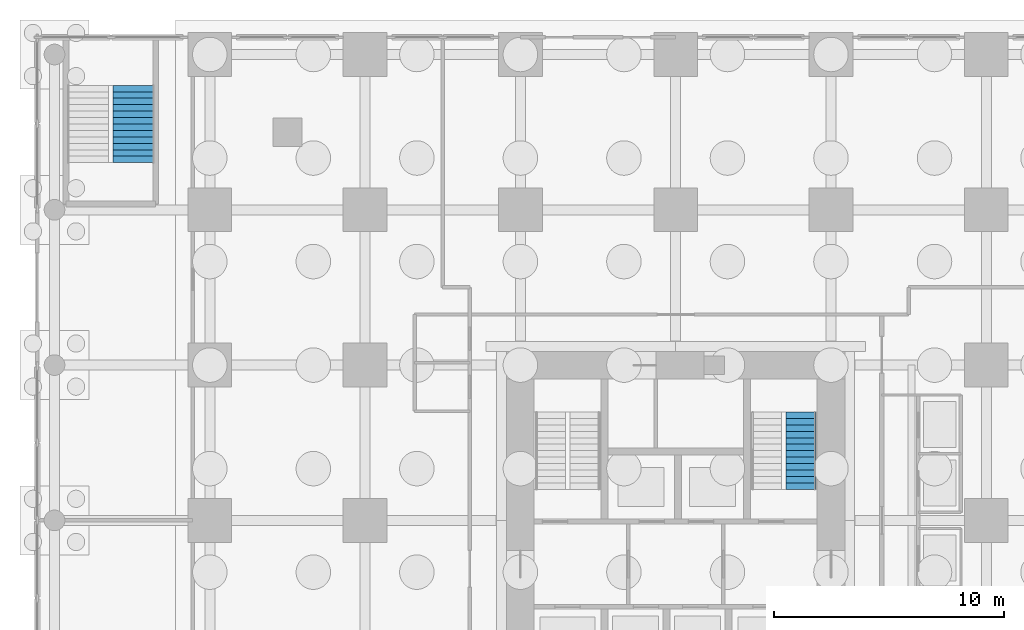
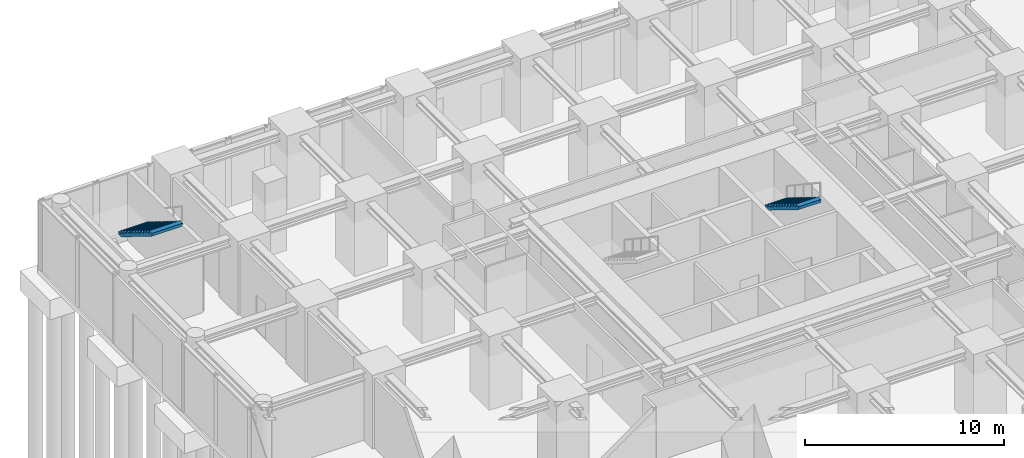
# One storey, part 12 of 14: 2 stair flights, 2 elements without a shape of their own.
"""IFC4 building model written with IfcOpenShell, lengths in metres."""

from ifc_helpers import new_model, si_unit, direction, frame, origin, place, context, subcontext, project, spatial, polyline, outline, extrude, material, type_object, element, aggregate, save


model = new_model("IFC4")

# Units and contexts
model_context = context("Model", 3, precision=1e-05, world=origin(), true_north=direction((0.0, 1.0)))
body_context = subcontext(model_context, "Body", "Model", "MODEL_VIEW")
ifc_project = project(units=[si_unit("LENGTHUNIT", "METRE"), si_unit("AREAUNIT", "SQUARE_METRE"), si_unit("VOLUMEUNIT", "CUBIC_METRE"), si_unit("PLANEANGLEUNIT", "RADIAN"), si_unit("MASSUNIT", "GRAM", prefix="KILO")], contexts=[model_context])

# Site, building, storey
site_placement = place(None, origin())
site = spatial("IfcSite", under=ifc_project, at=site_placement, CompositionType="ELEMENT")
building_placement = place(site_placement, origin())
building = spatial("IfcBuilding", under=site, at=building_placement, Name="Nyansa Garden Tower", CompositionType="ELEMENT")
storey_placement = place(building_placement, origin())
storey = spatial("IfcBuildingStorey", under=building, at=storey_placement, Name="L00", CompositionType="ELEMENT", Elevation=0.0)

# Stair, stair flight
ifc_material_1 = material(Name="Precast concrete C40/50", Category="concrete")
stair_type_1 = type_object("IfcStairType", Name="Stair S2 173x280", PredefinedType="HALF_TURN_STAIR", material=ifc_material_1)
stair_1_placement = place(storey_placement, origin())
stair_1 = element("IfcStair", 1, at=stair_1_placement, inside=storey, type_object=stair_type_1, Name="Stair S2 L00", PredefinedType="HALF_TURN_STAIR")
ifc_material_2 = material(Name="Precast concrete C40/50", Category="concrete")
stair_flight_type_1 = type_object("IfcStairFlightType", Name="Stair flight S2 173x280x13", PredefinedType="STRAIGHT", material=ifc_material_2)
stair_flight_1_placement = place(storey_placement, frame((25.699951171875, 24.9599609375, 2.25), z_axis=(0.0, 0.0, 1.0), x_axis=(0.0, -1.0, 0.0)))
stair_flight_1 = element("IfcStairFlight", 2, at=stair_flight_1_placement, type_object=stair_flight_type_1, Name="S2 flight 2", NumberOfRisers=13, NumberOfTreads=12, PredefinedType="STRAIGHT", RiserHeight=0.173076923, TreadLength=0.28, context=body_context, shape_type="SweptSolid", body=[
    extrude(outline(polyline([(0.0, 0.0), (0.0, 0.173095703125), (0.280029296875, 0.173095703125), (0.280029296875, 0.34619140625), (0.56005859375, 0.34619140625), (0.56005859375, 0.519287109375), (0.840087890625, 0.519287109375), (0.840087890625, 0.6923828125), (1.1201171875, 0.6923828125), (1.1201171875, 0.865478515625), (1.39990234375, 0.865478515625), (1.39990234375, 1.03857421875), (1.679931640625, 1.03857421875), (1.679931640625, 1.21142578125), (1.9599609375, 1.21142578125), (1.9599609375, 1.384521484375), (2.239990234375, 1.384521484375), (2.239990234375, 1.5576171875), (2.52001953125, 1.5576171875), (2.52001953125, 1.730712890625), (2.800048828125, 1.730712890625), (2.800048828125, 1.90380859375), (3.080078125, 1.90380859375), (3.080078125, 2.076904296875), (3.360107421875, 2.076904296875), (3.360107421875, 2.25), (3.360107421875, 1.900634765625), (0.28515625, 0.0), (0.0, 0.0)])), frame((0.0, 0.64990234375, 0.0), z_axis=(0.0, -1.0, 0.0), x_axis=(1.0, 0.0, 0.0)), (0.0, 0.0, 1.0), 1.300048828125),
])
aggregate(stair_1, [stair_flight_1])

ifc_material_3 = material(Name="Precast concrete C40/50", Category="concrete")
stair_type_2 = type_object("IfcStairType", Name="Stair S3 173x280", PredefinedType="HALF_TURN_STAIR", material=ifc_material_3)
stair_2_placement = place(storey_placement, origin())
stair_2 = element("IfcStair", 3, at=stair_2_placement, inside=storey, type_object=stair_type_2, Name="Stair S3 L00", PredefinedType="HALF_TURN_STAIR")
ifc_material_4 = material(Name="Precast concrete C40/50", Category="concrete")
stair_flight_type_2 = type_object("IfcStairFlightType", Name="Stair flight S3 173x280x13", PredefinedType="STRAIGHT", material=ifc_material_4)
stair_flight_2_placement = place(storey_placement, frame((-3.300048828125, 39.159912109375, 2.25), z_axis=(0.0, 0.0, 1.0), x_axis=(0.0, -1.0, 0.0)))
stair_flight_2 = element("IfcStairFlight", 4, at=stair_flight_2_placement, type_object=stair_flight_type_2, Name="S3 flight 2", NumberOfRisers=13, NumberOfTreads=12, PredefinedType="STRAIGHT", RiserHeight=0.173076923, TreadLength=0.28, context=body_context, shape_type="SweptSolid", body=[
    extrude(outline(polyline([(0.0, 0.0), (0.0, 0.173095703125), (0.280029296875, 0.173095703125), (0.280029296875, 0.34619140625), (0.56005859375, 0.34619140625), (0.56005859375, 0.519287109375), (0.840087890625, 0.519287109375), (0.840087890625, 0.6923828125), (1.1201171875, 0.6923828125), (1.1201171875, 0.865478515625), (1.39990234375, 0.865478515625), (1.39990234375, 1.03857421875), (1.679931640625, 1.03857421875), (1.679931640625, 1.21142578125), (1.9599609375, 1.21142578125), (1.9599609375, 1.384521484375), (2.239990234375, 1.384521484375), (2.239990234375, 1.5576171875), (2.52001953125, 1.5576171875), (2.52001953125, 1.730712890625), (2.800048828125, 1.730712890625), (2.800048828125, 1.90380859375), (3.080078125, 1.90380859375), (3.080078125, 2.076904296875), (3.360107421875, 2.076904296875), (3.360107421875, 2.25), (3.360107421875, 1.900634765625), (0.28515625, 0.0), (0.0, 0.0)])), frame((0.0, 0.89990234375, 0.0), z_axis=(0.0, -1.0, 0.0), x_axis=(1.0, 0.0, 0.0)), (0.0, 0.0, 1.0), 1.800048828125),
])
aggregate(stair_2, [stair_flight_2])

save(model, "model.ifc")
